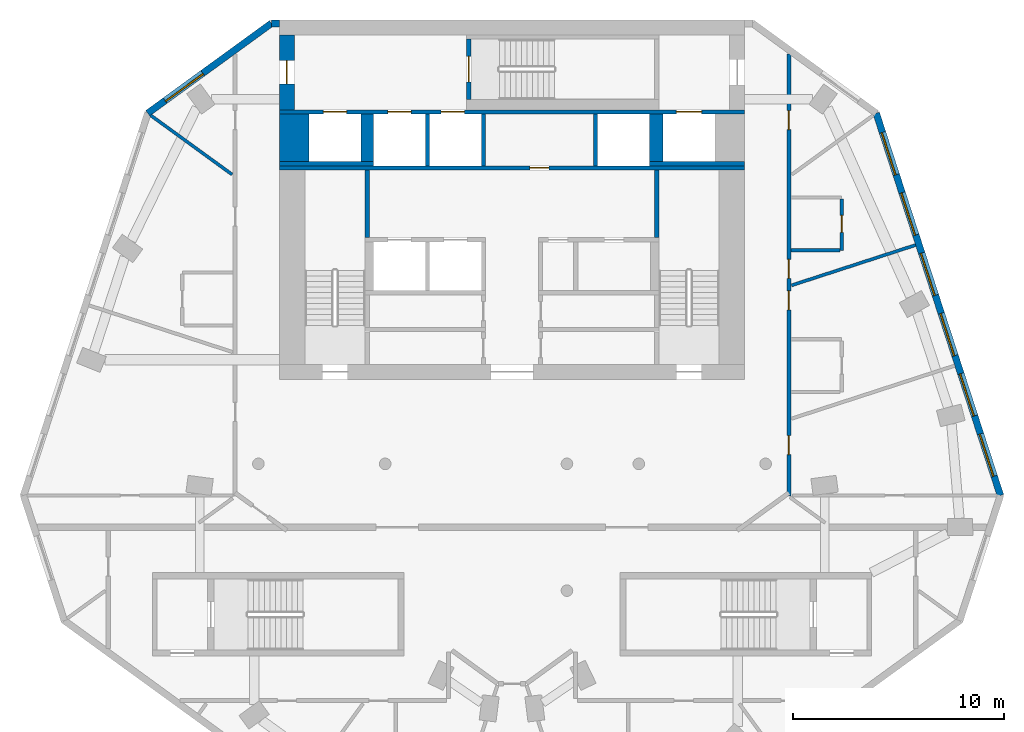
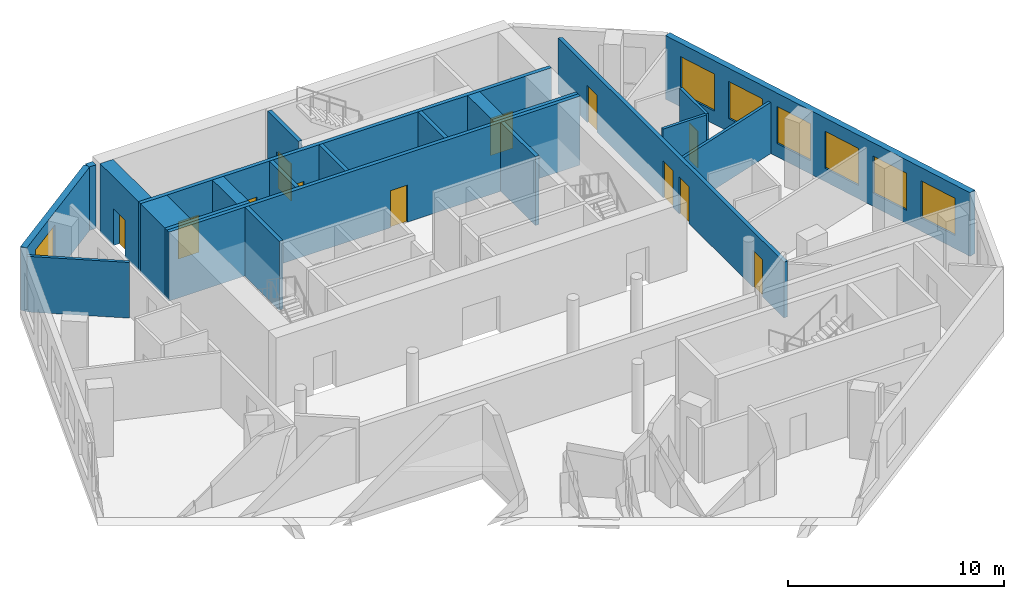
# One storey, part 5 of 8: 22 walls, 12 doors, 7 windows, 19 openings.
"""IFC4 building model written with IfcOpenShell, lengths in metres."""

from ifc_helpers import new_model, si_unit, direction, frame, frame_2d, origin, place, context, subcontext, project, spatial, rectangle, extrude, material, layer, layer_set, type_object, element, fill, save


model = new_model("IFC4")

# Units and contexts
model_context = context("Model", 3, precision=1e-05, world=origin(), true_north=direction((0.0, 1.0)))
body_context = subcontext(model_context, "Body", "Model", "MODEL_VIEW")
ifc_project = project(units=[si_unit("LENGTHUNIT", "METRE"), si_unit("AREAUNIT", "SQUARE_METRE"), si_unit("VOLUMEUNIT", "CUBIC_METRE"), si_unit("PLANEANGLEUNIT", "RADIAN"), si_unit("MASSUNIT", "GRAM", prefix="KILO")], contexts=[model_context])

# Site, building, storey
site_placement = place(None, origin())
site = spatial("IfcSite", under=ifc_project, at=site_placement, CompositionType="ELEMENT")
building_placement = place(site_placement, origin())
building = spatial("IfcBuilding", under=site, at=building_placement, Name="White Candle Pilgrim Tower", CompositionType="ELEMENT")
storey_placement = place(building_placement, frame((0.0, 0.0, 275.60009765625)))
storey = spatial("IfcBuildingStorey", under=building, at=storey_placement, Name="L65", CompositionType="ELEMENT", Elevation=275.60009765625)

# Walls
ifc_material_1 = material(Name="Concrete C50/60", Category="concrete")
ifc_layer_1 = layer(ifc_material_1, 1.39990234375)
ifc_layer_set_1 = layer_set([ifc_layer_1], Name="Core wall 1400 mm Concrete C50/60")
wall_type_1 = type_object("IfcWallType", Name="Core wall 1400 mm Concrete C50/60", PredefinedType="SHEAR", material=ifc_layer_set_1)
wall_1_placement = place(storey_placement, frame((59.699951171875, 81.300048828125, 0.0), z_axis=(0.0, 0.0, 1.0), x_axis=(0.0, 1.0, 0.0)))
element("IfcWall", 1, at=wall_1_placement, inside=storey, type_object=wall_type_1, Name="WL-L65-C42", PredefinedType="SHEAR", context=body_context, shape_type="SweptSolid", body=[
    extrude(rectangle(XDim=2.25, YDim=1.39990234375, at=frame_2d((1.125, 0.0))), origin(), (0.0, 0.0, 1.0), 3.89990234375),
])
ifc_layer_2 = layer(ifc_material_1, 0.199951171875)
ifc_layer_set_2 = layer_set([ifc_layer_2], Name="Core wall 200 mm Concrete C50/60")
wall_type_2 = type_object("IfcWallType", Name="Core wall 200 mm Concrete C50/60", PredefinedType="SHEAR", material=ifc_layer_set_2)
wall_2_placement = place(storey_placement, frame((59.0, 81.199951171875, 0.0), z_axis=(0.0, 0.0, 1.0), x_axis=(1.0, 0.0, 0.0)))
element("IfcWall", 2, at=wall_2_placement, inside=storey, type_object=wall_type_2, Name="WL-L65-C37", PredefinedType="SHEAR", context=body_context, shape_type="SweptSolid", body=[
    extrude(rectangle(XDim=4.449951171875, YDim=0.199951171875, at=frame_2d((2.22509765625, 0.0))), origin(), (0.0, 0.0, 1.0), 3.89990234375),
])
wall_3_placement = place(storey_placement, frame((76.5, 81.199951171875, 0.0), z_axis=(0.0, 0.0, 1.0), x_axis=(1.0, 0.0, 0.0)))
element("IfcWall", 3, at=wall_3_placement, inside=storey, type_object=wall_type_2, Name="WL-L65-C41", PredefinedType="SHEAR", context=body_context, shape_type="SweptSolid", body=[
    extrude(rectangle(XDim=4.5, YDim=0.199951171875, at=frame_2d((2.25, 0.0))), origin(), (0.0, 0.0, 1.0), 3.89990234375),
])

# Wall, openings, doors
wall_4_placement = place(storey_placement, frame((59.0, 83.64990234375, 0.0), z_axis=(0.0, 0.0, 1.0), x_axis=(1.0, 0.0, 0.0)))
wall_4 = element("IfcWall", 4, at=wall_4_placement, inside=storey, type_object=wall_type_2, Name="WL-L65-C46", PredefinedType="SHEAR", context=body_context, shape_type="SweptSolid", body=[
    extrude(rectangle(XDim=22.0, YDim=0.199951171875, at=frame_2d((11.0, 0.0))), origin(), (0.0, 0.0, 1.0), 3.89990234375),
])
opening_1_placement = place(wall_4_placement, frame((5.125, 0.0, 0.0)))
opening_1 = element("IfcOpeningElement", 5, at=opening_1_placement, cuts=wall_4, Name="Opening T20-017", PredefinedType="OPENING", context=body_context, shape_type="SweptSolid", body=[
    extrude(rectangle(XDim=1.10009765625, YDim=2.10009765625, at=frame_2d((0.550048828125, 1.050048828125))), frame((0.0, 0.10986328125, 0.0), z_axis=(0.0, -1.0, 0.0), x_axis=(1.0, 0.0, 0.0)), (0.0, 0.0, 1.0), 0.219970703125),
])
opening_2_placement = place(wall_4_placement, frame((7.64990234375, 0.0, 0.0)))
opening_2 = element("IfcOpeningElement", 6, at=opening_2_placement, cuts=wall_4, Name="Opening T20-018", PredefinedType="OPENING", context=body_context, shape_type="SweptSolid", body=[
    extrude(rectangle(XDim=1.10009765625, YDim=2.10009765625, at=frame_2d((0.550048828125, 1.050048828125))), frame((0.0, 0.10986328125, 0.0), z_axis=(0.0, -1.0, 0.0), x_axis=(1.0, 0.0, 0.0)), (0.0, 0.0, 1.0), 0.219970703125),
])
opening_3_placement = place(wall_4_placement, frame((18.77490234375, 0.0, 0.0)))
opening_3 = element("IfcOpeningElement", 7, at=opening_3_placement, cuts=wall_4, Name="Opening T20-019", PredefinedType="OPENING", context=body_context, shape_type="SweptSolid", body=[
    extrude(rectangle(XDim=1.199951171875, YDim=2.10009765625, at=frame_2d((0.60009765625, 1.050048828125))), frame((0.0, 0.10986328125, 0.0), z_axis=(0.0, -1.0, 0.0), x_axis=(1.0, 0.0, 0.0)), (0.0, 0.0, 1.0), 0.219970703125),
])
opening_4_placement = place(wall_4_placement, frame((2.074951171875, 0.0, 0.0)))
opening_4 = element("IfcOpeningElement", 8, at=opening_4_placement, cuts=wall_4, Name="Opening T20-020", PredefinedType="OPENING", context=body_context, shape_type="SweptSolid", body=[
    extrude(rectangle(XDim=1.10009765625, YDim=2.10009765625, at=frame_2d((0.550048828125, 1.050048828125))), frame((0.0, 0.10986328125, 0.0), z_axis=(0.0, -1.0, 0.0), x_axis=(1.0, 0.0, 0.0)), (0.0, 0.0, 1.0), 0.219970703125),
])
ifc_material_2 = material(Name="Stainless steel", Category="steel")
door_type_1 = type_object("IfcDoorType", Name="Lift landing door 1100 x 2100 EI 60", OperationType="DOUBLE_DOOR_SLIDING", PredefinedType="DOOR", material=ifc_material_2)
door_1_placement = place(opening_1_placement, origin())
door_1 = element("IfcDoor", 9, at=door_1_placement, inside=storey, type_object=door_type_1, Name="Door T20-017", OperationType="DOUBLE_DOOR_SLIDING", OverallHeight=2.10009765625, OverallWidth=1.10009765625, PredefinedType="DOOR", context=body_context, shape_type="SweptSolid", body=[
    extrude(rectangle(XDim=1.10009765625, YDim=2.10009765625, at=frame_2d((0.550048828125, 1.050048828125))), frame((0.0, 0.02490234375, 0.0), z_axis=(0.0, -1.0, 0.0), x_axis=(1.0, 0.0, 0.0)), (0.0, 0.0, 1.0), 0.050048828125),
])
fill(opening_1, door_1)
door_2_placement = place(opening_2_placement, origin())
door_2 = element("IfcDoor", 10, at=door_2_placement, inside=storey, type_object=door_type_1, Name="Door T20-018", OperationType="DOUBLE_DOOR_SLIDING", OverallHeight=2.10009765625, OverallWidth=1.10009765625, PredefinedType="DOOR", context=body_context, shape_type="SweptSolid", body=[
    extrude(rectangle(XDim=1.10009765625, YDim=2.10009765625, at=frame_2d((0.550048828125, 1.050048828125))), frame((0.0, 0.02490234375, 0.0), z_axis=(0.0, -1.0, 0.0), x_axis=(1.0, 0.0, 0.0)), (0.0, 0.0, 1.0), 0.050048828125),
])
fill(opening_2, door_2)
door_3_placement = place(opening_4_placement, origin())
door_3 = element("IfcDoor", 11, at=door_3_placement, inside=storey, type_object=door_type_1, Name="Door T20-020", OperationType="DOUBLE_DOOR_SLIDING", OverallHeight=2.10009765625, OverallWidth=1.10009765625, PredefinedType="DOOR", context=body_context, shape_type="SweptSolid", body=[
    extrude(rectangle(XDim=1.10009765625, YDim=2.10009765625, at=frame_2d((0.550048828125, 1.050048828125))), frame((0.0, 0.02490234375, 0.0), z_axis=(0.0, -1.0, 0.0), x_axis=(1.0, 0.0, 0.0)), (0.0, 0.0, 1.0), 0.050048828125),
])
fill(opening_4, door_3)
door_type_2 = type_object("IfcDoorType", Name="Lift landing door 1200 x 2100 E 60", OperationType="DOUBLE_DOOR_SLIDING", PredefinedType="DOOR", material=ifc_material_2)
door_4_placement = place(opening_3_placement, origin())
door_4 = element("IfcDoor", 12, at=door_4_placement, inside=storey, type_object=door_type_2, Name="Door T20-019", OperationType="DOUBLE_DOOR_SLIDING", OverallHeight=2.10009765625, OverallWidth=1.199951171875, PredefinedType="DOOR", context=body_context, shape_type="SweptSolid", body=[
    extrude(rectangle(XDim=1.199951171875, YDim=2.10009765625, at=frame_2d((0.60009765625, 1.050048828125))), frame((0.0, 0.02490234375, 0.0), z_axis=(0.0, -1.0, 0.0), x_axis=(1.0, 0.0, 0.0)), (0.0, 0.0, 1.0), 0.050048828125),
])
fill(opening_3, door_4)

# Wall, opening, door
ifc_layer_3 = layer(ifc_material_1, 0.699951171875)
ifc_layer_set_3 = layer_set([ifc_layer_3], Name="Core wall 700 mm Concrete C50/60")
wall_type_3 = type_object("IfcWallType", Name="Core wall 700 mm Concrete C50/60", PredefinedType="SHEAR", material=ifc_layer_set_3)
wall_5_placement = place(storey_placement, frame((59.35009765625, 83.75, 0.0), z_axis=(0.0, 0.0, 1.0), x_axis=(0.0, 1.0, 0.0)))
wall_5 = element("IfcWall", 13, at=wall_5_placement, inside=storey, type_object=wall_type_3, Name="WL-L65-C47", PredefinedType="SHEAR", context=body_context, shape_type="SweptSolid", body=[
    extrude(rectangle(XDim=3.550048828125, YDim=0.699951171875, at=frame_2d((1.77490234375, 0.0))), origin(), (0.0, 0.0, 1.0), 3.89990234375),
])
opening_5_placement = place(wall_5_placement, frame((1.22509765625, 0.0, 0.0)))
opening_5 = element("IfcOpeningElement", 14, at=opening_5_placement, cuts=wall_5, Name="Opening T20-009", PredefinedType="OPENING", context=body_context, shape_type="SweptSolid", body=[
    extrude(rectangle(XDim=1.10009765625, YDim=2.10009765625, at=frame_2d((0.550048828125, 1.050048828125))), frame((0.0, 0.35986328125, 0.0), z_axis=(0.0, -1.0, 0.0), x_axis=(1.0, 0.0, 0.0)), (0.0, 0.0, 1.0), 0.719970703125),
])
ifc_material_3 = material(Name="Steel door leaf", Category="steel")
door_type_3 = type_object("IfcDoorType", Name="Fire door 1100 x 2100 EI 60", OperationType="NOTDEFINED", PredefinedType="DOOR", material=ifc_material_3)
door_5_placement = place(opening_5_placement, origin())
door_5 = element("IfcDoor", 15, at=door_5_placement, inside=storey, type_object=door_type_3, Name="Door T20-009", OperationType="SINGLE_SWING_LEFT", OverallHeight=2.10009765625, OverallWidth=1.10009765625, PredefinedType="DOOR", context=body_context, shape_type="SweptSolid", body=[
    extrude(rectangle(XDim=1.10009765625, YDim=2.10009765625, at=frame_2d((0.550048828125, 1.050048828125))), frame((0.0, 0.02490234375, 0.0), z_axis=(0.0, -1.0, 0.0), x_axis=(1.0, 0.0, 0.0)), (0.0, 0.0, 1.0), 0.050048828125),
])
fill(opening_5, door_5)

# Wall, openings, doors
ifc_material_4 = material(Name="Gypsum board on steel studs", Category="steel")
ifc_layer_4 = layer(ifc_material_4, 0.199951171875)
ifc_layer_set_4 = layer_set([ifc_layer_4], Name="Corridor wall 200 mm EI 45")
wall_type_4 = type_object("IfcWallType", Name="Corridor wall 200 mm EI 45", PredefinedType="PARTITIONING", material=ifc_layer_set_4)
wall_6_placement = place(storey_placement, frame((83.10009765625, 86.396240234375, 0.0), z_axis=(0.0, 0.0, 1.0), x_axis=(0.0, -1.0, 0.0)))
wall_6 = element("IfcWall", 16, at=wall_6_placement, inside=storey, type_object=wall_type_4, Name="WL-L65-P004", PredefinedType="PARTITIONING", context=body_context, shape_type="SweptSolid", body=[
    extrude(rectangle(XDim=20.91943359375, YDim=0.199951171875, at=frame_2d((10.459716796875, 0.0))), origin(), (0.0, 0.0, 1.0), 3.14990234375),
])
opening_6_placement = place(wall_6_placement, frame((2.68798828125, 0.0, 0.0)))
opening_6 = element("IfcOpeningElement", 17, at=opening_6_placement, cuts=wall_6, Name="Opening T20-117", PredefinedType="OPENING", context=body_context, shape_type="SweptSolid", body=[
    extrude(rectangle(XDim=0.89990234375, YDim=2.10009765625, at=frame_2d((0.449951171875, 1.050048828125))), frame((0.0, 0.10986328125, 0.0), z_axis=(0.0, -1.0, 0.0), x_axis=(1.0, 0.0, 0.0)), (0.0, 0.0, 1.0), 0.219970703125),
])
opening_7_placement = place(wall_6_placement, frame((9.719970703125, 0.0, 0.0)))
opening_7 = element("IfcOpeningElement", 18, at=opening_7_placement, cuts=wall_6, Name="Opening T20-118", PredefinedType="OPENING", context=body_context, shape_type="SweptSolid", body=[
    extrude(rectangle(XDim=0.89990234375, YDim=2.10009765625, at=frame_2d((0.449951171875, 1.050048828125))), frame((0.0, 0.10986328125, 0.0), z_axis=(0.0, -1.0, 0.0), x_axis=(1.0, 0.0, 0.0)), (0.0, 0.0, 1.0), 0.219970703125),
])
opening_8_placement = place(wall_6_placement, frame((11.214111328125, 0.0, 0.0)))
opening_8 = element("IfcOpeningElement", 19, at=opening_8_placement, cuts=wall_6, Name="Opening T20-119", PredefinedType="OPENING", context=body_context, shape_type="SweptSolid", body=[
    extrude(rectangle(XDim=0.89990234375, YDim=2.10009765625, at=frame_2d((0.449951171875, 1.050048828125))), frame((0.0, 0.10986328125, 0.0), z_axis=(0.0, -1.0, 0.0), x_axis=(1.0, 0.0, 0.0)), (0.0, 0.0, 1.0), 0.219970703125),
])
opening_9_placement = place(wall_6_placement, frame((18.05859375, 0.0, 0.0)))
opening_9 = element("IfcOpeningElement", 20, at=opening_9_placement, cuts=wall_6, Name="Opening T20-120", PredefinedType="OPENING", context=body_context, shape_type="SweptSolid", body=[
    extrude(rectangle(XDim=0.89990234375, YDim=2.10009765625, at=frame_2d((0.449951171875, 1.050048828125))), frame((0.0, 0.10986328125, 0.0), z_axis=(0.0, -1.0, 0.0), x_axis=(1.0, 0.0, 0.0)), (0.0, 0.0, 1.0), 0.219970703125),
])
door_type_4 = type_object("IfcDoorType", Name="Fire door 900 x 2100 EI 30", OperationType="NOTDEFINED", PredefinedType="DOOR", material=ifc_material_3)
door_6_placement = place(opening_6_placement, origin())
door_6 = element("IfcDoor", 21, at=door_6_placement, inside=storey, type_object=door_type_4, Name="Door T20-117", OperationType="SINGLE_SWING_LEFT", OverallHeight=2.10009765625, OverallWidth=0.89990234375, PredefinedType="DOOR", context=body_context, shape_type="SweptSolid", body=[
    extrude(rectangle(XDim=0.89990234375, YDim=2.10009765625, at=frame_2d((0.449951171875, 1.050048828125))), frame((0.0, 0.02490234375, 0.0), z_axis=(0.0, -1.0, 0.0), x_axis=(1.0, 0.0, 0.0)), (0.0, 0.0, 1.0), 0.050048828125),
])
fill(opening_6, door_6)
door_7_placement = place(opening_7_placement, origin())
door_7 = element("IfcDoor", 22, at=door_7_placement, inside=storey, type_object=door_type_4, Name="Door T20-118", OperationType="SINGLE_SWING_RIGHT", OverallHeight=2.10009765625, OverallWidth=0.89990234375, PredefinedType="DOOR", context=body_context, shape_type="SweptSolid", body=[
    extrude(rectangle(XDim=0.89990234375, YDim=2.10009765625, at=frame_2d((0.449951171875, 1.050048828125))), frame((0.0, 0.02490234375, 0.0), z_axis=(0.0, -1.0, 0.0), x_axis=(1.0, 0.0, 0.0)), (0.0, 0.0, 1.0), 0.050048828125),
])
fill(opening_7, door_7)
door_8_placement = place(opening_8_placement, origin())
door_8 = element("IfcDoor", 23, at=door_8_placement, inside=storey, type_object=door_type_4, Name="Door T20-119", OperationType="SINGLE_SWING_LEFT", OverallHeight=2.10009765625, OverallWidth=0.89990234375, PredefinedType="DOOR", context=body_context, shape_type="SweptSolid", body=[
    extrude(rectangle(XDim=0.89990234375, YDim=2.10009765625, at=frame_2d((0.449951171875, 1.050048828125))), frame((0.0, 0.02490234375, 0.0), z_axis=(0.0, -1.0, 0.0), x_axis=(1.0, 0.0, 0.0)), (0.0, 0.0, 1.0), 0.050048828125),
])
fill(opening_8, door_8)
door_9_placement = place(opening_9_placement, origin())
door_9 = element("IfcDoor", 24, at=door_9_placement, inside=storey, type_object=door_type_4, Name="Door T20-120", OperationType="SINGLE_SWING_RIGHT", OverallHeight=2.10009765625, OverallWidth=0.89990234375, PredefinedType="DOOR", context=body_context, shape_type="SweptSolid", body=[
    extrude(rectangle(XDim=0.89990234375, YDim=2.10009765625, at=frame_2d((0.449951171875, 1.050048828125))), frame((0.0, 0.02490234375, 0.0), z_axis=(0.0, -1.0, 0.0), x_axis=(1.0, 0.0, 0.0)), (0.0, 0.0, 1.0), 0.050048828125),
])
fill(opening_9, door_9)

# Wall, openings, windows
ifc_material_5 = material(Name="Precast concrete C40/50", Category="concrete")
ifc_layer_5 = layer(ifc_material_5, 0.320068359375)
ifc_layer_set_5 = layer_set([ifc_layer_5], Name="Facade wall EW1 precast concrete C40/50 pier wall with timber-lined reveals")
wall_type_5 = type_object("IfcWallType", Name="Facade wall EW1 precast concrete C40/50 pier wall with timber-lined reveals", PredefinedType="SOLIDWALL", material=ifc_layer_set_5)
wall_7_placement = place(storey_placement, frame((93.1103515625, 65.50634765625, 0.0), z_axis=(0.0, 0.0, 1.0), x_axis=(-0.309027135181, 0.951053221288, 0.0)))
wall_7 = element("IfcWall", 25, at=wall_7_placement, inside=storey, type_object=wall_type_5, Name="Facade wall L65 ENE", PredefinedType="SOLIDWALL", context=body_context, shape_type="SweptSolid", body=[
    extrude(rectangle(XDim=19.014404296875, YDim=0.320068359375, at=frame_2d((9.50732421875, 0.0))), origin(), (0.0, 0.0, 1.0), 3.599853515625),
])
opening_10_placement = place(wall_7_placement, frame((0.957275390625, 0.0, 0.75)))
opening_10 = element("IfcOpeningElement", 26, at=opening_10_placement, cuts=wall_7, Name="Opening W3", PredefinedType="OPENING", context=body_context, shape_type="SweptSolid", body=[
    extrude(rectangle(XDim=2.10009765625, YDim=2.10009765625, at=frame_2d((1.050048828125, 1.050048828125))), frame((0.0, 0.169921875, 0.0), z_axis=(0.0, -1.0, 0.0), x_axis=(1.0, 0.0, 0.0)), (0.0, 0.0, 1.0), 0.340087890625),
])
opening_11_placement = place(wall_7_placement, frame((3.957275390625, 0.0, 0.75)))
opening_11 = element("IfcOpeningElement", 27, at=opening_11_placement, cuts=wall_7, Name="Opening W3", PredefinedType="OPENING", context=body_context, shape_type="SweptSolid", body=[
    extrude(rectangle(XDim=2.10009765625, YDim=2.10009765625, at=frame_2d((1.050048828125, 1.050048828125))), frame((0.0, 0.169921875, 0.0), z_axis=(0.0, -1.0, 0.0), x_axis=(1.0, 0.0, 0.0)), (0.0, 0.0, 1.0), 0.340087890625),
])
opening_12_placement = place(wall_7_placement, frame((6.957275390625, 0.0, 0.75)))
opening_12 = element("IfcOpeningElement", 28, at=opening_12_placement, cuts=wall_7, Name="Opening W3", PredefinedType="OPENING", context=body_context, shape_type="SweptSolid", body=[
    extrude(rectangle(XDim=2.10009765625, YDim=2.10009765625, at=frame_2d((1.050048828125, 1.050048828125))), frame((0.0, 0.169921875, 0.0), z_axis=(0.0, -1.0, 0.0), x_axis=(1.0, 0.0, 0.0)), (0.0, 0.0, 1.0), 0.340087890625),
])
opening_13_placement = place(wall_7_placement, frame((9.957275390625, 0.0, 0.75)))
opening_13 = element("IfcOpeningElement", 29, at=opening_13_placement, cuts=wall_7, Name="Opening W3", PredefinedType="OPENING", context=body_context, shape_type="SweptSolid", body=[
    extrude(rectangle(XDim=2.10009765625, YDim=2.10009765625, at=frame_2d((1.050048828125, 1.050048828125))), frame((0.0, 0.169921875, 0.0), z_axis=(0.0, -1.0, 0.0), x_axis=(1.0, 0.0, 0.0)), (0.0, 0.0, 1.0), 0.340087890625),
])
opening_14_placement = place(wall_7_placement, frame((12.957275390625, 0.0, 0.75)))
opening_14 = element("IfcOpeningElement", 30, at=opening_14_placement, cuts=wall_7, Name="Opening W3", PredefinedType="OPENING", context=body_context, shape_type="SweptSolid", body=[
    extrude(rectangle(XDim=2.10009765625, YDim=2.10009765625, at=frame_2d((1.050048828125, 1.050048828125))), frame((0.0, 0.169921875, 0.0), z_axis=(0.0, -1.0, 0.0), x_axis=(1.0, 0.0, 0.0)), (0.0, 0.0, 1.0), 0.340087890625),
])
opening_15_placement = place(wall_7_placement, frame((15.957275390625, 0.0, 0.75)))
opening_15 = element("IfcOpeningElement", 31, at=opening_15_placement, cuts=wall_7, Name="Opening W3", PredefinedType="OPENING", context=body_context, shape_type="SweptSolid", body=[
    extrude(rectangle(XDim=2.10009765625, YDim=2.10009765625, at=frame_2d((1.050048828125, 1.050048828125))), frame((0.0, 0.169921875, 0.0), z_axis=(0.0, -1.0, 0.0), x_axis=(1.0, 0.0, 0.0)), (0.0, 0.0, 1.0), 0.340087890625),
])
ifc_material_6 = material(Name="Timber frame with triple glazing", Category="wood")
window_type_1 = type_object("IfcWindowType", Name="Window W3 2100x2100 timber frame triple glazing", PartitioningType="SINGLE_PANEL", PredefinedType="WINDOW", material=ifc_material_6)
window_1_placement = place(opening_10_placement, origin())
window_1 = element("IfcWindow", 32, at=window_1_placement, inside=storey, type_object=window_type_1, Name="Window W3 L65 ENE 1", OverallHeight=2.10009765625, OverallWidth=2.10009765625, PartitioningType="SINGLE_PANEL", PredefinedType="WINDOW", context=body_context, shape_type="SweptSolid", body=[
    extrude(rectangle(XDim=2.10009765625, YDim=2.10009765625, at=frame_2d((1.050048828125, 1.050048828125))), frame((0.0, 0.070068359375, 0.0), z_axis=(0.0, -1.0, 0.0), x_axis=(1.0, 0.0, 0.0)), (0.0, 0.0, 1.0), 0.06005859375),
])
fill(opening_10, window_1)
window_2_placement = place(opening_11_placement, origin())
window_2 = element("IfcWindow", 33, at=window_2_placement, inside=storey, type_object=window_type_1, Name="Window W3 L65 ENE 2", OverallHeight=2.10009765625, OverallWidth=2.10009765625, PartitioningType="SINGLE_PANEL", PredefinedType="WINDOW", context=body_context, shape_type="SweptSolid", body=[
    extrude(rectangle(XDim=2.10009765625, YDim=2.10009765625, at=frame_2d((1.050048828125, 1.050048828125))), frame((0.0, 0.070068359375, 0.0), z_axis=(0.0, -1.0, 0.0), x_axis=(1.0, 0.0, 0.0)), (0.0, 0.0, 1.0), 0.06005859375),
])
fill(opening_11, window_2)
window_3_placement = place(opening_12_placement, origin())
window_3 = element("IfcWindow", 34, at=window_3_placement, inside=storey, type_object=window_type_1, Name="Window W3 L65 ENE 3", OverallHeight=2.10009765625, OverallWidth=2.10009765625, PartitioningType="SINGLE_PANEL", PredefinedType="WINDOW", context=body_context, shape_type="SweptSolid", body=[
    extrude(rectangle(XDim=2.10009765625, YDim=2.10009765625, at=frame_2d((1.050048828125, 1.050048828125))), frame((0.0, 0.070068359375, 0.0), z_axis=(0.0, -1.0, 0.0), x_axis=(1.0, 0.0, 0.0)), (0.0, 0.0, 1.0), 0.06005859375),
])
fill(opening_12, window_3)
window_4_placement = place(opening_13_placement, origin())
window_4 = element("IfcWindow", 35, at=window_4_placement, inside=storey, type_object=window_type_1, Name="Window W3 L65 ENE 4", OverallHeight=2.10009765625, OverallWidth=2.10009765625, PartitioningType="SINGLE_PANEL", PredefinedType="WINDOW", context=body_context, shape_type="SweptSolid", body=[
    extrude(rectangle(XDim=2.10009765625, YDim=2.10009765625, at=frame_2d((1.050048828125, 1.050048828125))), frame((0.0, 0.070068359375, 0.0), z_axis=(0.0, -1.0, 0.0), x_axis=(1.0, 0.0, 0.0)), (0.0, 0.0, 1.0), 0.06005859375),
])
fill(opening_13, window_4)
window_5_placement = place(opening_14_placement, origin())
window_5 = element("IfcWindow", 36, at=window_5_placement, inside=storey, type_object=window_type_1, Name="Window W3 L65 ENE 5", OverallHeight=2.10009765625, OverallWidth=2.10009765625, PartitioningType="SINGLE_PANEL", PredefinedType="WINDOW", context=body_context, shape_type="SweptSolid", body=[
    extrude(rectangle(XDim=2.10009765625, YDim=2.10009765625, at=frame_2d((1.050048828125, 1.050048828125))), frame((0.0, 0.070068359375, 0.0), z_axis=(0.0, -1.0, 0.0), x_axis=(1.0, 0.0, 0.0)), (0.0, 0.0, 1.0), 0.06005859375),
])
fill(opening_14, window_5)
window_6_placement = place(opening_15_placement, origin())
window_6 = element("IfcWindow", 37, at=window_6_placement, inside=storey, type_object=window_type_1, Name="Window W3 L65 ENE 6", OverallHeight=2.10009765625, OverallWidth=2.10009765625, PartitioningType="SINGLE_PANEL", PredefinedType="WINDOW", context=body_context, shape_type="SweptSolid", body=[
    extrude(rectangle(XDim=2.10009765625, YDim=2.10009765625, at=frame_2d((1.050048828125, 1.050048828125))), frame((0.0, 0.070068359375, 0.0), z_axis=(0.0, -1.0, 0.0), x_axis=(1.0, 0.0, 0.0)), (0.0, 0.0, 1.0), 0.06005859375),
])
fill(opening_15, window_6)

# Wall
wall_8_placement = place(storey_placement, frame((59.0, 87.840087890625, 0.0), z_axis=(0.0, 0.0, 1.0), x_axis=(-1.0, 0.0, 0.0)))
element("IfcWall", 38, at=wall_8_placement, inside=storey, type_object=wall_type_5, Name="Facade wall L65 N", PredefinedType="SOLIDWALL", context=body_context, shape_type="SweptSolid", body=[
    extrude(rectangle(XDim=0.385009765625, YDim=0.320068359375, at=frame_2d((0.1923828125, 0.0))), origin(), (0.0, 0.0, 1.0), 3.599853515625),
])

# Wall, opening, window
wall_9_placement = place(storey_placement, frame((58.614990234375, 87.840087890625, 0.0), z_axis=(0.0, 0.0, 1.0), x_axis=(-0.809004669464, -0.587802215703, 0.0)))
wall_9 = element("IfcWall", 39, at=wall_9_placement, inside=storey, type_object=wall_type_5, Name="Facade wall L65 NW chamfer", PredefinedType="SOLIDWALL", context=body_context, shape_type="SweptSolid", body=[
    extrude(rectangle(XDim=7.230224609375, YDim=0.320068359375, at=frame_2d((3.615234375, 0.0))), origin(), (0.0, 0.0, 1.0), 3.599853515625),
])
opening_16_placement = place(wall_9_placement, frame((4.01513671875, 0.0, 0.75)))
opening_16 = element("IfcOpeningElement", 40, at=opening_16_placement, cuts=wall_9, Name="Opening W4", PredefinedType="OPENING", context=body_context, shape_type="SweptSolid", body=[
    extrude(rectangle(XDim=2.199951171875, YDim=2.10009765625, at=frame_2d((1.10009765625, 1.050048828125))), frame((0.0, 0.169921875, 0.0), z_axis=(0.0, -1.0, 0.0), x_axis=(1.0, 0.0, 0.0)), (0.0, 0.0, 1.0), 0.340087890625),
])
window_type_2 = type_object("IfcWindowType", Name="Window W4 2200x2100 timber frame triple glazing", PartitioningType="SINGLE_PANEL", PredefinedType="WINDOW", material=ifc_material_6)
window_7_placement = place(opening_16_placement, origin())
window_7 = element("IfcWindow", 41, at=window_7_placement, inside=storey, type_object=window_type_2, Name="Window W4 L65 NW chamfer 2", OverallHeight=2.10009765625, OverallWidth=2.199951171875, PartitioningType="SINGLE_PANEL", PredefinedType="WINDOW", context=body_context, shape_type="SweptSolid", body=[
    extrude(rectangle(XDim=2.199951171875, YDim=2.10009765625, at=frame_2d((1.10009765625, 1.050048828125))), frame((0.0, 0.070068359375, 0.0), z_axis=(0.0, -1.0, 0.0), x_axis=(1.0, 0.0, 0.0)), (0.0, 0.0, 1.0), 0.06005859375),
])
fill(opening_16, window_7)

# Walls
ifc_layer_6 = layer(ifc_material_4, 0.14990234375)
ifc_layer_set_6 = layer_set([ifc_layer_6], Name="Partition 150 mm EI 60")
wall_type_6 = type_object("IfcWallType", Name="Partition 150 mm EI 60", PredefinedType="PARTITIONING", material=ifc_layer_set_6)
wall_10_placement = place(storey_placement, frame((52.901611328125, 83.4912109375, 0.0), z_axis=(0.0, 0.0, 1.0), x_axis=(0.809015212762, -0.587787704464, 0.0)))
element("IfcWall", 42, at=wall_10_placement, inside=storey, type_object=wall_type_6, Name="WL-L65-P015", PredefinedType="PARTITIONING", context=body_context, shape_type="SweptSolid", body=[
    extrude(rectangle(XDim=4.76416015625, YDim=0.14990234375, at=frame_2d((2.382080078125, 0.0))), origin(), (0.0, 0.0, 1.0), 3.14990234375),
])
wall_11_placement = place(storey_placement, frame((89.093017578125, 77.351806640625, 0.0), z_axis=(0.0, 0.0, 1.0), x_axis=(-0.951057030792, -0.309015410912, 0.0)))
element("IfcWall", 43, at=wall_11_placement, inside=storey, type_object=wall_type_6, Name="WL-L65-P037", PredefinedType="PARTITIONING", context=body_context, shape_type="SweptSolid", body=[
    extrude(rectangle(XDim=6.171875, YDim=0.14990234375, at=frame_2d((3.0859375, 0.0))), origin(), (0.0, 0.0, 1.0), 2.89990234375),
])

# Wall, opening, door
wall_12_placement = place(storey_placement, frame((85.60009765625, 77.1044921875, 0.0), z_axis=(0.0, 0.0, 1.0), x_axis=(0.0, 1.0, 0.0)))
wall_12 = element("IfcWall", 44, at=wall_12_placement, inside=storey, type_object=wall_type_6, Name="WL-L65-P042", PredefinedType="PARTITIONING", context=body_context, shape_type="SweptSolid", body=[
    extrude(rectangle(XDim=2.425048828125, YDim=0.14990234375, at=frame_2d((1.21240234375, 0.0))), origin(), (0.0, 0.0, 1.0), 3.599853515625),
])
opening_17_placement = place(wall_12_placement, frame((0.85009765625, 0.0, 0.0)))
opening_17 = element("IfcOpeningElement", 45, at=opening_17_placement, cuts=wall_12, Name="Opening T20-110", PredefinedType="OPENING", context=body_context, shape_type="SweptSolid", body=[
    extrude(rectangle(XDim=0.800048828125, YDim=2.10009765625, at=frame_2d((0.39990234375, 1.050048828125))), frame((0.0, 0.0849609375, 0.0), z_axis=(0.0, -1.0, 0.0), x_axis=(1.0, 0.0, 0.0)), (0.0, 0.0, 1.0), 0.169921875),
])
door_type_5 = type_object("IfcDoorType", Name="Fire door 800 x 2100 EI 30", OperationType="NOTDEFINED", PredefinedType="DOOR", material=ifc_material_3)
door_10_placement = place(opening_17_placement, frame((0.800048828125, 0.0, 0.0), z_axis=(0.0, 0.0, 1.0), x_axis=(-1.0, 0.0, 0.0)))
door_10 = element("IfcDoor", 46, at=door_10_placement, inside=storey, type_object=door_type_5, Name="Door T20-110", OperationType="SINGLE_SWING_LEFT", OverallHeight=2.10009765625, OverallWidth=0.800048828125, PredefinedType="DOOR", context=body_context, shape_type="SweptSolid", body=[
    extrude(rectangle(XDim=0.800048828125, YDim=2.10009765625, at=frame_2d((0.39990234375, 1.050048828125))), frame((0.0, 0.02490234375, 0.0), z_axis=(0.0, -1.0, 0.0), x_axis=(1.0, 0.0, 0.0)), (0.0, 0.0, 1.0), 0.050048828125),
])
fill(opening_17, door_10)

# Walls
wall_13_placement = place(storey_placement, frame((83.199951171875, 77.1044921875, 0.0), z_axis=(0.0, 0.0, 1.0), x_axis=(1.0, 0.0, 0.0)))
element("IfcWall", 47, at=wall_13_placement, inside=storey, type_object=wall_type_6, Name="WL-L65-P043", PredefinedType="PARTITIONING", context=body_context, shape_type="SweptSolid", body=[
    extrude(rectangle(XDim=2.324951171875, YDim=0.14990234375, at=frame_2d((1.16259765625, 0.0))), origin(), (0.0, 0.0, 1.0), 3.599853515625),
])
ifc_layer_7 = layer(ifc_material_1, 0.199951171875)
ifc_layer_set_7 = layer_set([ifc_layer_7], Name="Shaft wall 200 mm Concrete C50/60")
wall_type_7 = type_object("IfcWallType", Name="Shaft wall 200 mm Concrete C50/60", PredefinedType="SHEAR", material=ifc_layer_set_7)
for number, where, z_axis, x_axis, name in (
    (48, (66.0, 81.10009765625, 0.0), (0.0, 0.0, 1.0), (0.0, 1.0, 0.0), "WL-L65-C38"),
    (49, (68.64990234375, 81.10009765625, 0.0), (0.0, 0.0, 1.0), (0.0, 1.0, 0.0), "WL-L65-C39"),
    (50, (73.949951171875, 81.10009765625, 0.0), (0.0, 0.0, 1.0), (0.0, 1.0, 0.0), "WL-L65-C40"),
):
    element("IfcWall", number, at=place(storey_placement, frame(where, z_axis=z_axis, x_axis=x_axis)), inside=storey, type_object=wall_type_7, Name=name, PredefinedType="SHEAR", context=body_context, shape_type="SweptSolid", body=[
        extrude(rectangle(XDim=2.449951171875, YDim=0.199951171875, at=frame_2d((1.22509765625, 0.0))), origin(), (0.0, 0.0, 1.0), 3.89990234375),
    ])
ifc_layer_8 = layer(ifc_material_1, 0.60009765625)
ifc_layer_set_8 = layer_set([ifc_layer_8], Name="Shaft wall 600 mm Concrete C50/60")
wall_type_8 = type_object("IfcWallType", Name="Shaft wall 600 mm Concrete C50/60", PredefinedType="SHEAR", material=ifc_layer_set_8)
wall_14_placement = place(storey_placement, frame((63.14990234375, 81.300048828125, 0.0), z_axis=(0.0, 0.0, 1.0), x_axis=(0.0, 1.0, 0.0)))
element("IfcWall", 51, at=wall_14_placement, inside=storey, type_object=wall_type_8, Name="WL-L65-C43", PredefinedType="SHEAR", context=body_context, shape_type="SweptSolid", body=[
    extrude(rectangle(XDim=2.25, YDim=0.60009765625, at=frame_2d((1.125, 0.0))), origin(), (0.0, 0.0, 1.0), 3.89990234375),
])
ifc_layer_9 = layer(ifc_material_1, 0.64990234375)
ifc_layer_set_9 = layer_set([ifc_layer_9], Name="Shaft wall 650 mm Concrete C50/60")
wall_type_9 = type_object("IfcWallType", Name="Shaft wall 650 mm Concrete C50/60", PredefinedType="SHEAR", material=ifc_layer_set_9)
wall_15_placement = place(storey_placement, frame((76.824951171875, 81.300048828125, 0.0), z_axis=(0.0, 0.0, 1.0), x_axis=(0.0, 1.0, 0.0)))
element("IfcWall", 52, at=wall_15_placement, inside=storey, type_object=wall_type_9, Name="WL-L65-C44", PredefinedType="SHEAR", context=body_context, shape_type="SweptSolid", body=[
    extrude(rectangle(XDim=2.25, YDim=0.64990234375, at=frame_2d((1.125, 0.0))), origin(), (0.0, 0.0, 1.0), 3.89990234375),
])
ifc_layer_10 = layer(ifc_material_1, 0.199951171875)
ifc_layer_set_10 = layer_set([ifc_layer_10], Name="Stair shaft wall 200 mm Concrete C50/60")
wall_type_10 = type_object("IfcWallType", Name="Stair shaft wall 200 mm Concrete C50/60", PredefinedType="SHEAR", material=ifc_layer_set_10)
for number, where, z_axis, x_axis, name in (
    (53, (63.14990234375, 77.699951171875, 0.0), (0.0, 0.0, 1.0), (0.0, 1.0, 0.0), "WL-L65-C34"),
    (54, (76.85009765625, 77.699951171875, 0.0), (0.0, 0.0, 1.0), (0.0, 1.0, 0.0), "WL-L65-C35"),
):
    element("IfcWall", number, at=place(storey_placement, frame(where, z_axis=z_axis, x_axis=x_axis)), inside=storey, type_object=wall_type_10, Name=name, PredefinedType="SHEAR", context=body_context, shape_type="SweptSolid", body=[
        extrude(rectangle(XDim=3.199951171875, YDim=0.199951171875, at=frame_2d((1.60009765625, 0.0))), origin(), (0.0, 0.0, 1.0), 3.89990234375),
    ])

# Wall, opening, door
wall_16_placement = place(storey_placement, frame((59.0, 81.0, 0.0), z_axis=(0.0, 0.0, 1.0), x_axis=(1.0, 0.0, 0.0)))
wall_16 = element("IfcWall", 55, at=wall_16_placement, inside=storey, type_object=wall_type_10, Name="WL-L65-C36", PredefinedType="SHEAR", context=body_context, shape_type="SweptSolid", body=[
    extrude(rectangle(XDim=22.0, YDim=0.199951171875, at=frame_2d((11.0, 0.0))), origin(), (0.0, 0.0, 1.0), 3.89990234375),
])
opening_18_placement = place(wall_16_placement, frame((11.85009765625, 0.0, 0.0)))
opening_18 = element("IfcOpeningElement", 56, at=opening_18_placement, cuts=wall_16, Name="Opening T20-023", PredefinedType="OPENING", context=body_context, shape_type="SweptSolid", body=[
    extrude(rectangle(XDim=0.89990234375, YDim=2.10009765625, at=frame_2d((0.449951171875, 1.050048828125))), frame((0.0, 0.10986328125, 0.0), z_axis=(0.0, -1.0, 0.0), x_axis=(1.0, 0.0, 0.0)), (0.0, 0.0, 1.0), 0.219970703125),
])
door_11_placement = place(opening_18_placement, origin())
door_11 = element("IfcDoor", 57, at=door_11_placement, inside=storey, type_object=door_type_4, Name="Door T20-023", OperationType="SINGLE_SWING_LEFT", OverallHeight=2.10009765625, OverallWidth=0.89990234375, PredefinedType="DOOR", context=body_context, shape_type="SweptSolid", body=[
    extrude(rectangle(XDim=0.89990234375, YDim=2.10009765625, at=frame_2d((0.449951171875, 1.050048828125))), frame((0.0, 0.02490234375, 0.0), z_axis=(0.0, -1.0, 0.0), x_axis=(1.0, 0.0, 0.0)), (0.0, 0.0, 1.0), 0.050048828125),
])
fill(opening_18, door_11)

wall_17_placement = place(storey_placement, frame((67.949951171875, 84.25, 0.0), z_axis=(0.0, 0.0, 1.0), x_axis=(0.0, 1.0, 0.0)))
wall_17 = element("IfcWall", 58, at=wall_17_placement, inside=storey, type_object=wall_type_10, Name="WL-L65-C50", PredefinedType="SHEAR", context=body_context, shape_type="SweptSolid", body=[
    extrude(rectangle(XDim=2.85009765625, YDim=0.199951171875, at=frame_2d((1.425048828125, 0.0))), origin(), (0.0, 0.0, 1.0), 3.89990234375),
])
opening_19_placement = place(wall_17_placement, frame((0.824951171875, 0.0, 0.0)))
opening_19 = element("IfcOpeningElement", 59, at=opening_19_placement, cuts=wall_17, Name="Opening T20-003", PredefinedType="OPENING", context=body_context, shape_type="SweptSolid", body=[
    extrude(rectangle(XDim=1.199951171875, YDim=2.10009765625, at=frame_2d((0.60009765625, 1.050048828125))), frame((0.0, 0.10986328125, 0.0), z_axis=(0.0, -1.0, 0.0), x_axis=(1.0, 0.0, 0.0)), (0.0, 0.0, 1.0), 0.219970703125),
])
door_type_6 = type_object("IfcDoorType", Name="Fire door 1200 x 2100 EI 60", OperationType="NOTDEFINED", PredefinedType="DOOR", material=ifc_material_3)
door_12_placement = place(opening_19_placement, frame((1.199951171875, 0.0, 0.0), z_axis=(0.0, 0.0, 1.0), x_axis=(-1.0, 0.0, 0.0)))
door_12 = element("IfcDoor", 60, at=door_12_placement, inside=storey, type_object=door_type_6, Name="Door T20-003", OperationType="SINGLE_SWING_RIGHT", OverallHeight=2.10009765625, OverallWidth=1.199951171875, PredefinedType="DOOR", context=body_context, shape_type="SweptSolid", body=[
    extrude(rectangle(XDim=1.199951171875, YDim=2.10009765625, at=frame_2d((0.60009765625, 1.050048828125))), frame((0.0, 0.02490234375, 0.0), z_axis=(0.0, -1.0, 0.0), x_axis=(1.0, 0.0, 0.0)), (0.0, 0.0, 1.0), 0.050048828125),
])
fill(opening_19, door_12)

save(model, "model.ifc")
